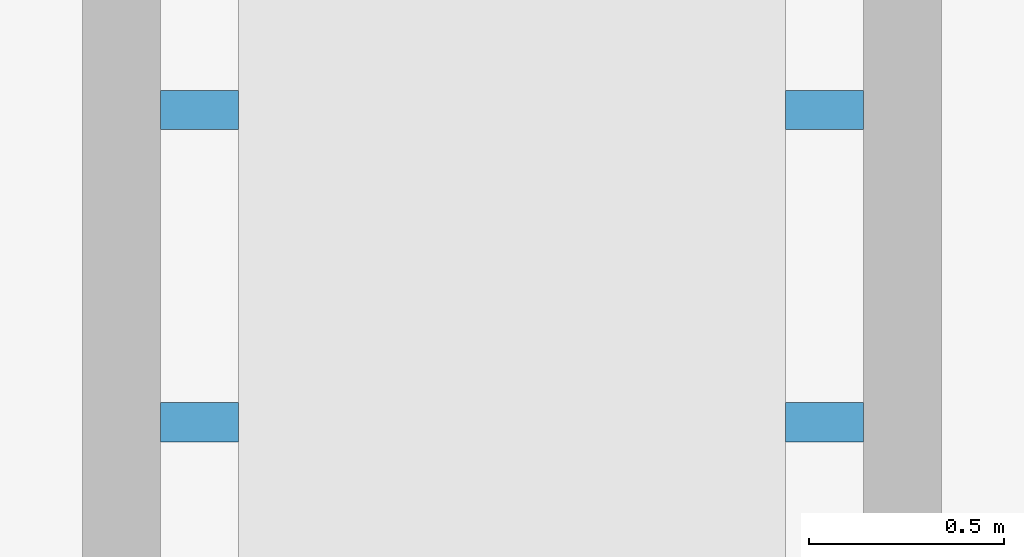
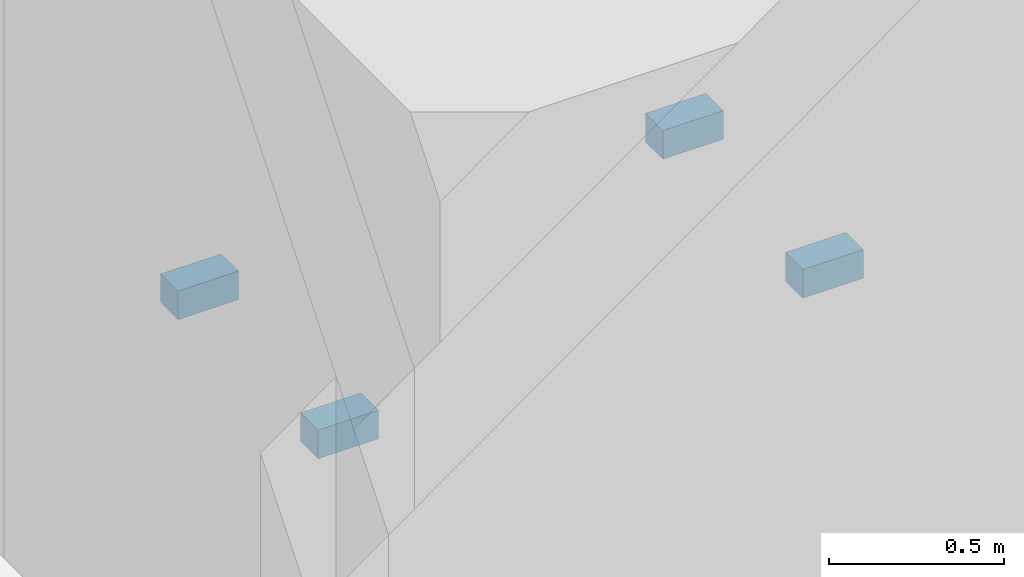
# One storey, part 59 of 95: 4 discrete accessories.
"""IFC4 building model written with IfcOpenShell, lengths in metres."""

import ifcopenshell
import ifcopenshell.guid

model = None  # the IFC model being written
_history = None  # IfcOwnerHistory: only IFC2X3 demands one
_inside = {}  # id of a spatial element -> (the spatial element, [elements in it])
_under = {}  # id of a project, library or spatial element -> (it, [spatial elements below it])
_declared = {}  # id of a project -> (the project, [libraries it declares])
_typed = {}  # id of a type object -> (the type object, [elements of that type])
_made_of = {}  # id of a material, layer set ... -> (it, [elements and type objects made of it])


def new_model(schema):
    """Start an empty IFC model of exactly this schema.

    Asked for "IFC4X3", IfcOpenShell would pick the latest addendum, in which some entities
    have other attributes; the version numbers below select the first issue.
    IFC2X3 requires an IfcOwnerHistory on every rooted entity: one is made here for all.
    """
    global model, _history
    if schema == "IFC4X3":
        model = ifcopenshell.file(schema_version=(4, 3, 0, 0))
    else:
        model = ifcopenshell.file(schema=schema)
    _inside.clear()
    _under.clear()
    _declared.clear()
    _typed.clear()
    _made_of.clear()
    _history = None
    if model.schema == "IFC2X3":
        org = make("IfcOrganization", Name="unknown")
        user = make(
            "IfcPersonAndOrganization",
            ThePerson=make("IfcPerson", FamilyName="unknown"),
            TheOrganization=org,
        )
        app = make(
            "IfcApplication",
            ApplicationDeveloper=org,
            Version="unknown",
            ApplicationFullName="unknown",
            ApplicationIdentifier="unknown",
        )
        _history = make(
            "IfcOwnerHistory",
            OwningUser=user,
            OwningApplication=app,
            ChangeAction="ADDED",
            CreationDate=0,
        )
    return model


def make(cls, **values):
    """One entity of the class cls with the attributes given. An attribute that is None is left unset."""
    return model.create_entity(
        cls, **{name: value for name, value in values.items() if value is not None}
    )


def rooted(cls, **values):
    """An entity with a GlobalId (a new one), such as an element, a storey or a relation."""
    return make(cls, GlobalId=ifcopenshell.guid.new(), OwnerHistory=_history, **values)


def si_unit(unit_type, name, prefix=None):
    """IfcSIUnit, for example si_unit("LENGTHUNIT", "METRE", prefix="MILLI")."""
    return make("IfcSIUnit", UnitType=unit_type, Prefix=prefix, Name=name)


def assignment(units):
    """IfcUnitAssignment: the units of a project."""
    return None if units is None else make("IfcUnitAssignment", Units=units)


def point(xyz):
    """IfcCartesianPoint."""
    return None if xyz is None else make("IfcCartesianPoint", Coordinates=xyz)


def direction(xyz):
    """IfcDirection."""
    return None if xyz is None else make("IfcDirection", DirectionRatios=xyz)


def frame(location, z_axis=None, x_axis=None):
    """IfcAxis2Placement3D, a coordinate frame: its origin and axes. An axis left out is left unset."""
    return make(
        "IfcAxis2Placement3D",
        Location=point(location),
        Axis=direction(z_axis),
        RefDirection=direction(x_axis),
    )


def frame_2d(location, x_axis=None):
    """IfcAxis2Placement2D, a coordinate frame in the plane: its origin and x axis."""
    return make(
        "IfcAxis2Placement2D", Location=point(location), RefDirection=direction(x_axis)
    )


def origin():
    """The frame at (0, 0, 0) with its axes left unset."""
    return frame((0.0, 0.0, 0.0))


def origin_2d():
    """The frame at (0, 0) in the plane with its x axis left unset."""
    return frame_2d((0.0, 0.0))


def place(relative_to, where):
    """IfcLocalPlacement: puts the frame where relative to a parent placement (None: the world)."""
    return make(
        "IfcLocalPlacement", PlacementRelTo=relative_to, RelativePlacement=where
    )


def context(
    kind, dimensions, precision=None, world=None, true_north=None, identifier=None
):
    """IfcGeometricRepresentationContext, for example the 3D "Model" context."""
    return make(
        "IfcGeometricRepresentationContext",
        ContextIdentifier=identifier,
        ContextType=kind,
        CoordinateSpaceDimension=dimensions,
        Precision=precision,
        WorldCoordinateSystem=world,
        TrueNorth=true_north,
    )


def subcontext(parent, identifier, kind, view, scale=None):
    """IfcGeometricRepresentationSubContext, for example "Body" below "Model"."""
    return make(
        "IfcGeometricRepresentationSubContext",
        ContextIdentifier=identifier,
        ContextType=kind,
        ParentContext=parent,
        TargetScale=scale,
        TargetView=view,
    )


def project(units=None, contexts=None):
    """IfcProject with its units and contexts."""
    return rooted(
        "IfcProject",
        Name="project",
        RepresentationContexts=contexts,
        UnitsInContext=assignment(units),
    )


def spatial(cls, under=None, at=None, **own):
    """A site, building, storey or space (cls), placed at a placement, below another one or the project."""
    s = rooted(cls, ObjectPlacement=at, **own)
    if under is not None:
        _under.setdefault(under.id(), (under, []))[1].append(s)
    return s


def profile(cls, at=None, kind="AREA", **sizes):
    """A parametric profile (cls). Its sizes go by their IFC names, for example OverallWidth=200.0."""
    return make(cls, ProfileType=kind, Position=at, **sizes)


def rectangle(**sizes):
    """IfcRectangleProfileDef."""
    return profile("IfcRectangleProfileDef", **sizes)


def extrude(swept, where, along, depth):
    """IfcExtrudedAreaSolid: the profile swept, set in the frame where, extruded along a direction by depth."""
    return make(
        "IfcExtrudedAreaSolid",
        SweptArea=swept,
        Position=where,
        ExtrudedDirection=direction(along),
        Depth=depth,
    )


def shape(context_of_items, identifier, shape_type, items):
    """IfcShapeRepresentation: the items that make up one representation, for example the "Body"."""
    return make(
        "IfcShapeRepresentation",
        ContextOfItems=context_of_items,
        RepresentationIdentifier=identifier,
        RepresentationType=shape_type,
        Items=items,
    )


def made_of(thing, what):
    """Note that an element or type object is made of a material, layer set ...; save() writes the relation."""
    if what is not None:
        _made_of.setdefault(what.id(), (what, []))[1].append(thing)
    return thing


def element(
    cls,
    number,
    at=None,
    inside=None,
    cuts=None,
    type_object=None,
    material=None,
    context=None,
    identifier="Body",
    shape_type=None,
    held_by="IfcProductDefinitionShape",
    body=None,
    shapes=None,
    **own,
):
    """One element of the class cls, such as IfcWall. Its Tag is "e" and its number.

    at: its placement. inside: the storey or other place that contains it. cuts: it is an
    opening in that element (IfcRelVoidsElement). A single representation is given by context,
    identifier, shape_type and body (its items); several are given by shapes. held_by: the class
    of the entity that holds the representations. save() writes the other relations.
    """
    e = rooted(cls, Tag="e%d" % number, ObjectPlacement=at, **own)
    if body is not None:
        shapes = [shape(context, identifier, shape_type, body)]
    if shapes is not None:
        e.Representation = make(held_by, Representations=shapes)
    if inside is not None:
        _inside.setdefault(inside.id(), (inside, []))[1].append(e)
    if cuts is not None:
        rooted(
            "IfcRelVoidsElement", RelatingBuildingElement=cuts, RelatedOpeningElement=e
        )
    if type_object is not None:
        _typed.setdefault(type_object.id(), (type_object, []))[1].append(e)
    return made_of(e, material)


def aggregate(whole, parts):
    """IfcRelAggregates: a whole, such as a stair, and the parts it consists of."""
    return rooted("IfcRelAggregates", RelatingObject=whole, RelatedObjects=parts)


def save(model, path):
    """Write the relations noted so far, then the file.

    IfcRelAggregates (storeys below a building ...), IfcRelContainedInSpatialStructure (elements
    in a storey), IfcRelDefinesByType, IfcRelAssociatesMaterial and IfcRelDeclares: one each for
    every whole, place, type object, material and project.
    """
    for whole, parts in _under.values():
        aggregate(whole, parts)
    for where, things in _inside.values():
        rooted(
            "IfcRelContainedInSpatialStructure",
            RelatedElements=things,
            RelatingStructure=where,
        )
    for kind, things in _typed.values():
        rooted("IfcRelDefinesByType", RelatedObjects=things, RelatingType=kind)
    for what, things in _made_of.values():
        rooted("IfcRelAssociatesMaterial", RelatedObjects=things, RelatingMaterial=what)
    for by, libraries in _declared.values():
        rooted("IfcRelDeclares", RelatingContext=by, RelatedDefinitions=libraries)
    model.write(path)


model = new_model("IFC4")

# Units and contexts
model_context = context("Model", 3, precision=1e-05, world=origin(), true_north=direction((0.0, 1.0)))
body_context = subcontext(model_context, "Body", "Model", "MODEL_VIEW")
ifc_project = project(units=[si_unit("LENGTHUNIT", "METRE"), si_unit("AREAUNIT", "SQUARE_METRE"), si_unit("VOLUMEUNIT", "CUBIC_METRE"), si_unit("PLANEANGLEUNIT", "RADIAN"), si_unit("MASSUNIT", "GRAM", prefix="KILO")], contexts=[model_context])

# Site, building, storey
site_placement = place(None, origin())
site = spatial("IfcSite", under=ifc_project, at=site_placement, CompositionType="ELEMENT")
building_placement = place(site_placement, origin())
building = spatial("IfcBuilding", under=site, at=building_placement, Name="Saffron Lane Theatres", CompositionType="ELEMENT")
storey_placement = place(building_placement, origin())
storey = spatial("IfcBuildingStorey", under=building, at=storey_placement, Name="L00", CompositionType="ELEMENT", Elevation=0.0)

# Discrete accessories
for number, where, z_axis, x_axis, name in (
    (1, (60.300048828125, 102.800048828125, 1.14990234375), (0.0, 0.0, 1.0), (1.0, 0.0, 0.0), "East Wing Accessible Lift guide bracket"),
    (2, (60.300048828125, 103.60009765625, 1.14990234375), (0.0, 0.0, 1.0), (1.0, 0.0, 0.0), "East Wing Accessible Lift guide bracket"),
    (3, (61.89990234375, 102.800048828125, 1.14990234375), (0.0, 0.0, 1.0), (1.0, 0.0, 0.0), "East Wing Accessible Lift guide bracket"),
    (4, (61.89990234375, 103.60009765625, 1.14990234375), (0.0, 0.0, 1.0), (1.0, 0.0, 0.0), "East Wing Accessible Lift guide bracket"),
):
    element("IfcDiscreteAccessory", number, at=place(storey_placement, frame(where, z_axis=z_axis, x_axis=x_axis)), inside=storey, Name=name, PredefinedType="BRACKET", context=body_context, shape_type="SweptSolid", body=[
        extrude(rectangle(XDim=0.199951171875, YDim=0.10009765625, at=origin_2d()), origin(), (0.0, 0.0, 1.0), 0.10009765625),
    ])

save(model, "model.ifc")
